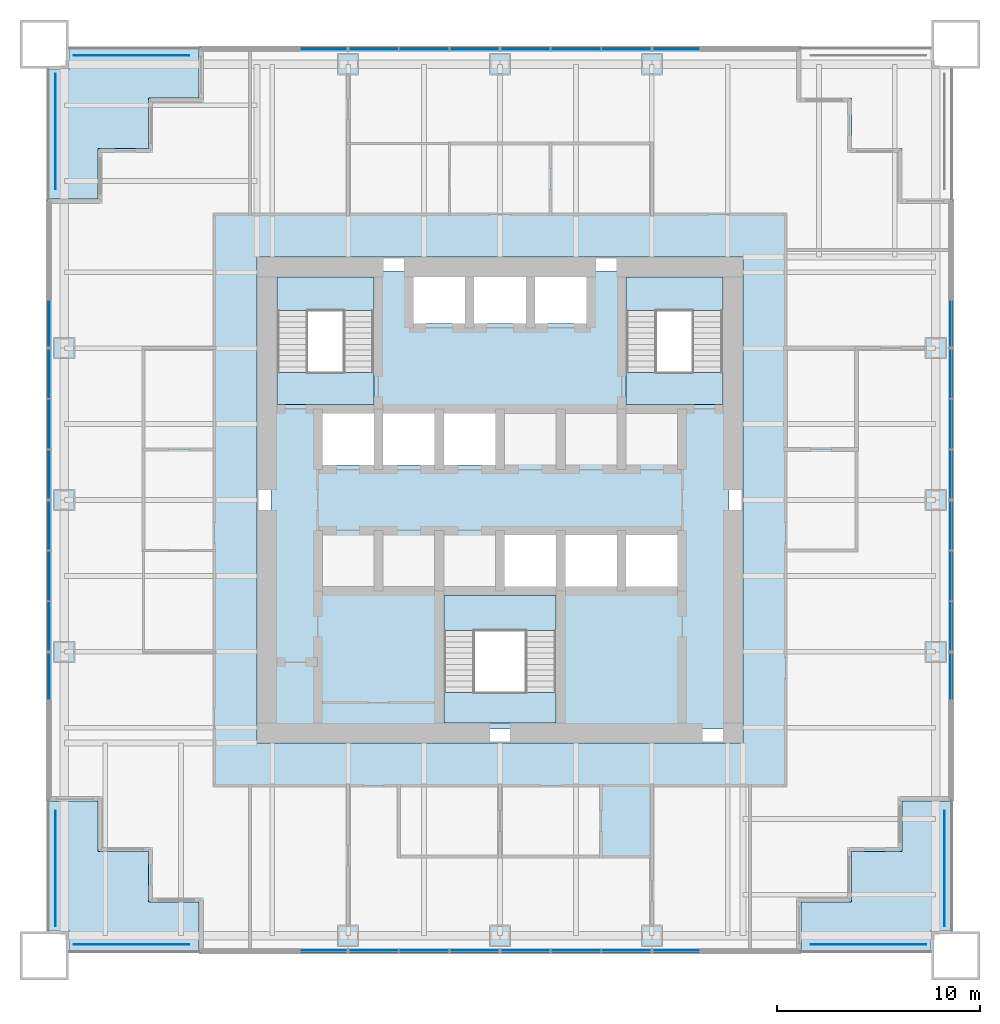
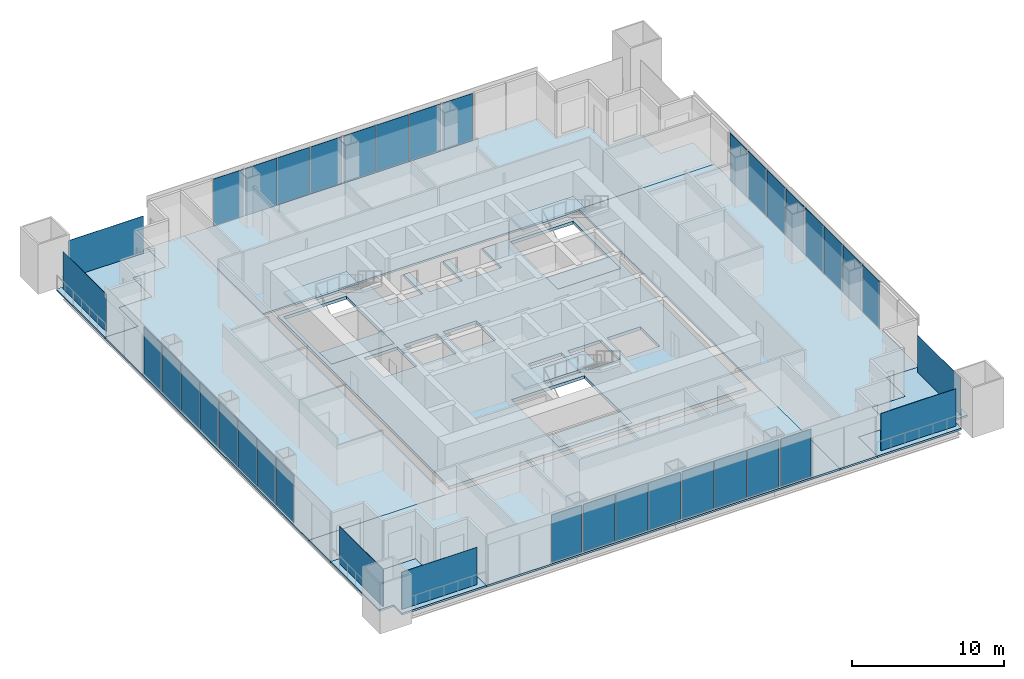
# One storey, part 7 of 13: 38 plates, 14 slabs, 19 elements without a shape of their own.
"""IFC4 building model written with IfcOpenShell, lengths in metres."""

from ifc_helpers import new_model, si_unit, direction, frame, origin, origin_2d, place, context, subcontext, project, spatial, polyline, rectangle, outline, extrude, material, layer, layer_set, type_object, element, aggregate, save


model = new_model("IFC4")

# Units and contexts
model_context = context("Model", 3, precision=1e-05, world=origin(), true_north=direction((0.0, 1.0)))
body_context = subcontext(model_context, "Body", "Model", "MODEL_VIEW")
ifc_project = project(units=[si_unit("LENGTHUNIT", "METRE"), si_unit("AREAUNIT", "SQUARE_METRE"), si_unit("VOLUMEUNIT", "CUBIC_METRE"), si_unit("PLANEANGLEUNIT", "RADIAN"), si_unit("MASSUNIT", "GRAM", prefix="KILO")], contexts=[model_context])

# Site, building, storey
site_placement = place(None, origin())
site = spatial("IfcSite", under=ifc_project, at=site_placement, CompositionType="ELEMENT")
building_placement = place(site_placement, origin())
building = spatial("IfcBuilding", under=site, at=building_placement, Name="Tarangal Relay Tower", CompositionType="ELEMENT")
storey_placement = place(building_placement, frame((0.0, 0.0, 205.89990234375)))
storey = spatial("IfcBuildingStorey", under=building, at=storey_placement, Name="L43", CompositionType="ELEMENT", Elevation=205.89990234375)

# Slabs
ifc_material_1 = material(Name="Concrete fc' 35 MPa", Category="concrete")
ifc_layer_1 = layer(ifc_material_1, 0.25)
ifc_layer_set_1 = layer_set([ifc_layer_1], Name="Core floor slab 250")
slab_type_1 = type_object("IfcSlabType", Name="Core floor slab 250", PredefinedType="FLOOR", material=ifc_layer_set_1)
slab_1_placement = place(storey_placement, frame((0.0, 0.0, -0.25)))
element("IfcSlab", 1, at=slab_1_placement, inside=storey, type_object=slab_type_1, Name="Core floor slab L43", PredefinedType="FLOOR", context=body_context, shape_type="SweptSolid", body=[
    extrude(outline(polyline([(11.300048828125, 11.300048828125), (11.300048828125, -11.300048828125), (-11.300048828125, -11.300048828125), (-11.300048828125, 11.300048828125), (-4.27490234375, 11.300048828125), (-4.27490234375, 8.72509765625), (-1.72509765625, 8.72509765625), (-1.72509765625, 11.300048828125), (-1.27490234375, 11.300048828125), (-1.27490234375, 8.72509765625), (1.27490234375, 8.72509765625), (1.27490234375, 11.300048828125), (1.72509765625, 11.300048828125), (1.72509765625, 8.72509765625), (4.27490234375, 8.72509765625), (4.27490234375, 11.300048828125), (11.300048828125, 11.300048828125)]), holes=[polyline([(-6.22509765625, 4.27490234375), (-8.77490234375, 4.27490234375), (-8.77490234375, 1.72509765625), (-6.22509765625, 1.72509765625), (-6.22509765625, 4.27490234375)]), polyline([(-3.22509765625, 1.72509765625), (-3.22509765625, 4.27490234375), (-5.77490234375, 4.27490234375), (-5.77490234375, 1.72509765625), (-3.22509765625, 1.72509765625)]), polyline([(-0.22509765625, 1.72509765625), (-0.22509765625, 4.27490234375), (-2.77490234375, 4.27490234375), (-2.77490234375, 1.72509765625), (-0.22509765625, 1.72509765625)]), polyline([(-6.22509765625, 11.0), (-11.0, 11.0), (-11.0, 4.72509765625), (-6.22509765625, 4.72509765625), (-6.22509765625, 11.0)]), polyline([(2.77490234375, -4.72509765625), (-2.77490234375, -4.72509765625), (-2.77490234375, -11.0), (2.77490234375, -11.0), (2.77490234375, -4.72509765625)]), polyline([(2.77490234375, -4.27490234375), (2.77490234375, -1.72509765625), (0.22509765625, -1.72509765625), (0.22509765625, -4.27490234375), (2.77490234375, -4.27490234375)]), polyline([(5.77490234375, -4.27490234375), (5.77490234375, -1.72509765625), (3.22509765625, -1.72509765625), (3.22509765625, -4.27490234375), (5.77490234375, -4.27490234375)]), polyline([(8.77490234375, -1.72509765625), (6.22509765625, -1.72509765625), (6.22509765625, -4.27490234375), (8.77490234375, -4.27490234375), (8.77490234375, -1.72509765625)]), polyline([(11.0, 4.72509765625), (11.0, 11.0), (6.22509765625, 11.0), (6.22509765625, 4.72509765625), (11.0, 4.72509765625)])]), origin(), (0.0, 0.0, 1.0), 0.25),
])
ifc_layer_2 = layer(ifc_material_1, 0.14990234375)
ifc_layer_set_2 = layer_set([ifc_layer_2], Name="Floor slab 150")
slab_type_2 = type_object("IfcSlabType", Name="Floor slab 150", PredefinedType="FLOOR", material=ifc_layer_set_2)
slab_2_placement = place(storey_placement, frame((0.0, 0.0, -0.14990234375)))
element("IfcSlab", 2, at=slab_2_placement, inside=storey, type_object=slab_type_2, Name="Floor slab FS3 L43 north bay", PredefinedType="FLOOR", context=body_context, shape_type="SweptSolid", body=[
    extrude(outline(polyline([(14.85009765625, 22.35009765625), (14.85009765625, 19.85009765625), (17.35009765625, 19.85009765625), (17.35009765625, 17.35009765625), (19.85009765625, 17.35009765625), (19.85009765625, 14.85009765625), (22.35009765625, 14.85009765625), (22.35009765625, 12.0), (-12.0, 12.0), (-12.0, 22.35009765625), (14.85009765625, 22.35009765625)])), origin(), (0.0, 0.0, 1.0), 0.14990234375),
])
slab_3_placement = place(storey_placement, frame((0.0, 0.0, -0.14990234375)))
element("IfcSlab", 3, at=slab_3_placement, inside=storey, type_object=slab_type_2, Name="Floor slab FS3 L43 east bay", PredefinedType="FLOOR", context=body_context, shape_type="SweptSolid", body=[
    extrude(outline(polyline([(22.35009765625, -14.85009765625), (19.85009765625, -14.85009765625), (19.85009765625, -17.35009765625), (17.35009765625, -17.35009765625), (17.35009765625, -19.85009765625), (14.85009765625, -19.85009765625), (14.85009765625, -22.35009765625), (12.0, -22.35009765625), (12.0, 12.0), (22.35009765625, 12.0), (22.35009765625, -14.85009765625)])), origin(), (0.0, 0.0, 1.0), 0.14990234375),
])
slab_4_placement = place(storey_placement, frame((0.0, 0.0, -0.14990234375)))
element("IfcSlab", 4, at=slab_4_placement, inside=storey, type_object=slab_type_2, Name="Floor slab FS3 L43 south bay", PredefinedType="FLOOR", context=body_context, shape_type="SweptSolid", body=[
    extrude(outline(polyline([(-14.85009765625, -22.35009765625), (-14.85009765625, -19.85009765625), (-17.35009765625, -19.85009765625), (-17.35009765625, -17.35009765625), (-19.85009765625, -17.35009765625), (-19.85009765625, -14.85009765625), (-22.35009765625, -14.85009765625), (-22.35009765625, -12.0), (12.0, -12.0), (12.0, -22.35009765625), (-14.85009765625, -22.35009765625)])), origin(), (0.0, 0.0, 1.0), 0.14990234375),
])
slab_5_placement = place(storey_placement, frame((0.0, 0.0, -0.14990234375)))
element("IfcSlab", 5, at=slab_5_placement, inside=storey, type_object=slab_type_2, Name="Floor slab FS3 L43 west bay", PredefinedType="FLOOR", context=body_context, shape_type="SweptSolid", body=[
    extrude(outline(polyline([(-12.0, 22.35009765625), (-12.0, -12.0), (-22.35009765625, -12.0), (-22.35009765625, 14.85009765625), (-19.85009765625, 14.85009765625), (-19.85009765625, 17.35009765625), (-17.35009765625, 17.35009765625), (-17.35009765625, 19.85009765625), (-14.85009765625, 19.85009765625), (-14.85009765625, 22.35009765625), (-12.0, 22.35009765625)])), origin(), (0.0, 0.0, 1.0), 0.14990234375),
])

# Curtain wall, plate
ifc_material_2 = material(Name="Unitised curtain wall, dark glass and black aluminium", Category="aluminium")
curtain_wall_type = type_object("IfcCurtainWallType", Name="Curtain wall CW-A", PredefinedType="USERDEFINED", material=ifc_material_2)
curtain_wall_1_placement = place(storey_placement, origin())
curtain_wall_1 = element("IfcCurtainWall", 6, at=curtain_wall_1_placement, inside=storey, type_object=curtain_wall_type, Name="Curtain wall CW-A N facade L43", ObjectType="UNITISED CURTAIN WALL", PredefinedType="USERDEFINED")
ifc_material_3 = material(Name="Dark tinted insulated glass unit", Category="glass")
ifc_layer_3 = layer(ifc_material_3, 0.031982421875)
ifc_layer_set_3 = layer_set([ifc_layer_3], Name="Glazed panel CW-A 32")
plate_type_1 = type_object("IfcPlateType", Name="Glazed panel CW-A 32", PredefinedType="CURTAIN_PANEL", material=ifc_layer_set_3)
plate_1_placement = place(storey_placement, frame((-8.708251953125, 22.25, 0.06494140625), z_axis=(0.0, 0.0, 1.0), x_axis=(1.0, 0.0, 0.0)))
plate_1 = element("IfcPlate", 7, at=plate_1_placement, type_object=plate_type_1, Name="CW-A panel 1.1", PredefinedType="CURTAIN_PANEL", context=body_context, shape_type="SweptSolid", body=[
    extrude(rectangle(XDim=2.28662109375, YDim=0.031982421875, at=origin_2d()), origin(), (0.0, 0.0, 1.0), 3.784912109375),
])
aggregate(curtain_wall_1, [plate_1])

# Curtain wall, plates
curtain_wall_2_placement = place(storey_placement, origin())
curtain_wall_2 = element("IfcCurtainWall", 8, at=curtain_wall_2_placement, inside=storey, type_object=curtain_wall_type, Name="Curtain wall CW-A N facade L43", ObjectType="UNITISED CURTAIN WALL", PredefinedType="USERDEFINED")
plate_2_placement = place(storey_placement, frame((-6.233642578125, 22.25, 0.06494140625), z_axis=(0.0, 0.0, 1.0), x_axis=(1.0, 0.0, 0.0)))
plate_2 = element("IfcPlate", 9, at=plate_2_placement, type_object=plate_type_1, Name="CW-A panel 1.1", PredefinedType="CURTAIN_PANEL", context=body_context, shape_type="SweptSolid", body=[
    extrude(rectangle(XDim=2.402587890625, YDim=0.031982421875, at=origin_2d()), origin(), (0.0, 0.0, 1.0), 3.784912109375),
])
plate_3_placement = place(storey_placement, frame((-3.75, 22.25, 0.06494140625), z_axis=(0.0, 0.0, 1.0), x_axis=(1.0, 0.0, 0.0)))
plate_3 = element("IfcPlate", 10, at=plate_3_placement, type_object=plate_type_1, Name="CW-A panel 2.1", PredefinedType="CURTAIN_PANEL", context=body_context, shape_type="SweptSolid", body=[
    extrude(rectangle(XDim=2.43505859375, YDim=0.031982421875, at=origin_2d()), origin(), (0.0, 0.0, 1.0), 3.784912109375),
])
plate_4_placement = place(storey_placement, frame((-1.266357421875, 22.25, 0.06494140625), z_axis=(0.0, 0.0, 1.0), x_axis=(1.0, 0.0, 0.0)))
plate_4 = element("IfcPlate", 11, at=plate_4_placement, type_object=plate_type_1, Name="CW-A panel 3.1", PredefinedType="CURTAIN_PANEL", context=body_context, shape_type="SweptSolid", body=[
    extrude(rectangle(XDim=2.402587890625, YDim=0.031982421875, at=origin_2d()), origin(), (0.0, 0.0, 1.0), 3.784912109375),
])
aggregate(curtain_wall_2, [plate_2, plate_3, plate_4])

curtain_wall_3_placement = place(storey_placement, origin())
curtain_wall_3 = element("IfcCurtainWall", 12, at=curtain_wall_3_placement, inside=storey, type_object=curtain_wall_type, Name="Curtain wall CW-A N facade L43", ObjectType="UNITISED CURTAIN WALL", PredefinedType="USERDEFINED")
plate_5_placement = place(storey_placement, frame((1.266357421875, 22.25, 0.06494140625), z_axis=(0.0, 0.0, 1.0), x_axis=(1.0, 0.0, 0.0)))
plate_5 = element("IfcPlate", 13, at=plate_5_placement, type_object=plate_type_1, Name="CW-A panel 1.1", PredefinedType="CURTAIN_PANEL", context=body_context, shape_type="SweptSolid", body=[
    extrude(rectangle(XDim=2.402587890625, YDim=0.031982421875, at=origin_2d()), origin(), (0.0, 0.0, 1.0), 3.784912109375),
])
plate_6_placement = place(storey_placement, frame((3.75, 22.25, 0.06494140625), z_axis=(0.0, 0.0, 1.0), x_axis=(1.0, 0.0, 0.0)))
plate_6 = element("IfcPlate", 14, at=plate_6_placement, type_object=plate_type_1, Name="CW-A panel 2.1", PredefinedType="CURTAIN_PANEL", context=body_context, shape_type="SweptSolid", body=[
    extrude(rectangle(XDim=2.43505859375, YDim=0.031982421875, at=origin_2d()), origin(), (0.0, 0.0, 1.0), 3.784912109375),
])
plate_7_placement = place(storey_placement, frame((6.233642578125, 22.25, 0.06494140625), z_axis=(0.0, 0.0, 1.0), x_axis=(1.0, 0.0, 0.0)))
plate_7 = element("IfcPlate", 15, at=plate_7_placement, type_object=plate_type_1, Name="CW-A panel 3.1", PredefinedType="CURTAIN_PANEL", context=body_context, shape_type="SweptSolid", body=[
    extrude(rectangle(XDim=2.402587890625, YDim=0.031982421875, at=origin_2d()), origin(), (0.0, 0.0, 1.0), 3.784912109375),
])
aggregate(curtain_wall_3, [plate_5, plate_6, plate_7])

# Curtain wall, plate
curtain_wall_4_placement = place(storey_placement, origin())
curtain_wall_4 = element("IfcCurtainWall", 16, at=curtain_wall_4_placement, inside=storey, type_object=curtain_wall_type, Name="Curtain wall CW-A N facade L43", ObjectType="UNITISED CURTAIN WALL", PredefinedType="USERDEFINED")
plate_8_placement = place(storey_placement, frame((8.708251953125, 22.25, 0.06494140625), z_axis=(0.0, 0.0, 1.0), x_axis=(1.0, 0.0, 0.0)))
plate_8 = element("IfcPlate", 17, at=plate_8_placement, type_object=plate_type_1, Name="CW-A panel 1.1", PredefinedType="CURTAIN_PANEL", context=body_context, shape_type="SweptSolid", body=[
    extrude(rectangle(XDim=2.28662109375, YDim=0.031982421875, at=origin_2d()), origin(), (0.0, 0.0, 1.0), 3.784912109375),
])
aggregate(curtain_wall_4, [plate_8])

curtain_wall_5_placement = place(storey_placement, origin())
curtain_wall_5 = element("IfcCurtainWall", 18, at=curtain_wall_5_placement, inside=storey, type_object=curtain_wall_type, Name="Curtain wall CW-A E facade L43", ObjectType="UNITISED CURTAIN WALL", PredefinedType="USERDEFINED")
plate_9_placement = place(storey_placement, frame((22.25, 8.708251953125, 0.06494140625), z_axis=(0.0, 0.0, 1.0), x_axis=(0.0, -1.0, 0.0)))
plate_9 = element("IfcPlate", 19, at=plate_9_placement, type_object=plate_type_1, Name="CW-A panel 1.1", PredefinedType="CURTAIN_PANEL", context=body_context, shape_type="SweptSolid", body=[
    extrude(rectangle(XDim=2.28662109375, YDim=0.031982421875, at=origin_2d()), origin(), (0.0, 0.0, 1.0), 3.784912109375),
])
aggregate(curtain_wall_5, [plate_9])

# Curtain wall, plates
curtain_wall_6_placement = place(storey_placement, origin())
curtain_wall_6 = element("IfcCurtainWall", 20, at=curtain_wall_6_placement, inside=storey, type_object=curtain_wall_type, Name="Curtain wall CW-A E facade L43", ObjectType="UNITISED CURTAIN WALL", PredefinedType="USERDEFINED")
plate_10_placement = place(storey_placement, frame((22.25, 6.233642578125, 0.06494140625), z_axis=(0.0, 0.0, 1.0), x_axis=(0.0, -1.0, 0.0)))
plate_10 = element("IfcPlate", 21, at=plate_10_placement, type_object=plate_type_1, Name="CW-A panel 1.1", PredefinedType="CURTAIN_PANEL", context=body_context, shape_type="SweptSolid", body=[
    extrude(rectangle(XDim=2.402587890625, YDim=0.031982421875, at=origin_2d()), origin(), (0.0, 0.0, 1.0), 3.784912109375),
])
plate_11_placement = place(storey_placement, frame((22.25, 3.75, 0.06494140625), z_axis=(0.0, 0.0, 1.0), x_axis=(0.0, -1.0, 0.0)))
plate_11 = element("IfcPlate", 22, at=plate_11_placement, type_object=plate_type_1, Name="CW-A panel 2.1", PredefinedType="CURTAIN_PANEL", context=body_context, shape_type="SweptSolid", body=[
    extrude(rectangle(XDim=2.43505859375, YDim=0.031982421875, at=origin_2d()), origin(), (0.0, 0.0, 1.0), 3.784912109375),
])
plate_12_placement = place(storey_placement, frame((22.25, 1.266357421875, 0.06494140625), z_axis=(0.0, 0.0, 1.0), x_axis=(0.0, -1.0, 0.0)))
plate_12 = element("IfcPlate", 23, at=plate_12_placement, type_object=plate_type_1, Name="CW-A panel 3.1", PredefinedType="CURTAIN_PANEL", context=body_context, shape_type="SweptSolid", body=[
    extrude(rectangle(XDim=2.402587890625, YDim=0.031982421875, at=origin_2d()), origin(), (0.0, 0.0, 1.0), 3.784912109375),
])
aggregate(curtain_wall_6, [plate_10, plate_11, plate_12])

curtain_wall_7_placement = place(storey_placement, origin())
curtain_wall_7 = element("IfcCurtainWall", 24, at=curtain_wall_7_placement, inside=storey, type_object=curtain_wall_type, Name="Curtain wall CW-A E facade L43", ObjectType="UNITISED CURTAIN WALL", PredefinedType="USERDEFINED")
plate_13_placement = place(storey_placement, frame((22.25, -1.266357421875, 0.06494140625), z_axis=(0.0, 0.0, 1.0), x_axis=(0.0, -1.0, 0.0)))
plate_13 = element("IfcPlate", 25, at=plate_13_placement, type_object=plate_type_1, Name="CW-A panel 1.1", PredefinedType="CURTAIN_PANEL", context=body_context, shape_type="SweptSolid", body=[
    extrude(rectangle(XDim=2.402587890625, YDim=0.031982421875, at=origin_2d()), origin(), (0.0, 0.0, 1.0), 3.784912109375),
])
plate_14_placement = place(storey_placement, frame((22.25, -3.75, 0.06494140625), z_axis=(0.0, 0.0, 1.0), x_axis=(0.0, -1.0, 0.0)))
plate_14 = element("IfcPlate", 26, at=plate_14_placement, type_object=plate_type_1, Name="CW-A panel 2.1", PredefinedType="CURTAIN_PANEL", context=body_context, shape_type="SweptSolid", body=[
    extrude(rectangle(XDim=2.43505859375, YDim=0.031982421875, at=origin_2d()), origin(), (0.0, 0.0, 1.0), 3.784912109375),
])
plate_15_placement = place(storey_placement, frame((22.25, -6.233642578125, 0.06494140625), z_axis=(0.0, 0.0, 1.0), x_axis=(0.0, -1.0, 0.0)))
plate_15 = element("IfcPlate", 27, at=plate_15_placement, type_object=plate_type_1, Name="CW-A panel 3.1", PredefinedType="CURTAIN_PANEL", context=body_context, shape_type="SweptSolid", body=[
    extrude(rectangle(XDim=2.402587890625, YDim=0.031982421875, at=origin_2d()), origin(), (0.0, 0.0, 1.0), 3.784912109375),
])
aggregate(curtain_wall_7, [plate_13, plate_14, plate_15])

# Curtain wall, plate
curtain_wall_8_placement = place(storey_placement, origin())
curtain_wall_8 = element("IfcCurtainWall", 28, at=curtain_wall_8_placement, inside=storey, type_object=curtain_wall_type, Name="Curtain wall CW-A E facade L43", ObjectType="UNITISED CURTAIN WALL", PredefinedType="USERDEFINED")
plate_16_placement = place(storey_placement, frame((22.25, -8.708251953125, 0.06494140625), z_axis=(0.0, 0.0, 1.0), x_axis=(0.0, -1.0, 0.0)))
plate_16 = element("IfcPlate", 29, at=plate_16_placement, type_object=plate_type_1, Name="CW-A panel 1.1", PredefinedType="CURTAIN_PANEL", context=body_context, shape_type="SweptSolid", body=[
    extrude(rectangle(XDim=2.28662109375, YDim=0.031982421875, at=origin_2d()), origin(), (0.0, 0.0, 1.0), 3.784912109375),
])
aggregate(curtain_wall_8, [plate_16])

curtain_wall_9_placement = place(storey_placement, origin())
curtain_wall_9 = element("IfcCurtainWall", 30, at=curtain_wall_9_placement, inside=storey, type_object=curtain_wall_type, Name="Curtain wall CW-A S facade L43", ObjectType="UNITISED CURTAIN WALL", PredefinedType="USERDEFINED")
plate_17_placement = place(storey_placement, frame((8.708251953125, -22.25, 0.06494140625), z_axis=(0.0, 0.0, 1.0), x_axis=(-1.0, 0.0, 0.0)))
plate_17 = element("IfcPlate", 31, at=plate_17_placement, type_object=plate_type_1, Name="CW-A panel 1.1", PredefinedType="CURTAIN_PANEL", context=body_context, shape_type="SweptSolid", body=[
    extrude(rectangle(XDim=2.28662109375, YDim=0.031982421875, at=origin_2d()), origin(), (0.0, 0.0, 1.0), 3.784912109375),
])
aggregate(curtain_wall_9, [plate_17])

# Curtain wall, plates
curtain_wall_10_placement = place(storey_placement, origin())
curtain_wall_10 = element("IfcCurtainWall", 32, at=curtain_wall_10_placement, inside=storey, type_object=curtain_wall_type, Name="Curtain wall CW-A S facade L43", ObjectType="UNITISED CURTAIN WALL", PredefinedType="USERDEFINED")
plate_18_placement = place(storey_placement, frame((6.233642578125, -22.25, 0.06494140625), z_axis=(0.0, 0.0, 1.0), x_axis=(-1.0, 0.0, 0.0)))
plate_18 = element("IfcPlate", 33, at=plate_18_placement, type_object=plate_type_1, Name="CW-A panel 1.1", PredefinedType="CURTAIN_PANEL", context=body_context, shape_type="SweptSolid", body=[
    extrude(rectangle(XDim=2.402587890625, YDim=0.031982421875, at=origin_2d()), origin(), (0.0, 0.0, 1.0), 3.784912109375),
])
plate_19_placement = place(storey_placement, frame((3.75, -22.25, 0.06494140625), z_axis=(0.0, 0.0, 1.0), x_axis=(-1.0, 0.0, 0.0)))
plate_19 = element("IfcPlate", 34, at=plate_19_placement, type_object=plate_type_1, Name="CW-A panel 2.1", PredefinedType="CURTAIN_PANEL", context=body_context, shape_type="SweptSolid", body=[
    extrude(rectangle(XDim=2.43505859375, YDim=0.031982421875, at=origin_2d()), origin(), (0.0, 0.0, 1.0), 3.784912109375),
])
plate_20_placement = place(storey_placement, frame((1.266357421875, -22.25, 0.06494140625), z_axis=(0.0, 0.0, 1.0), x_axis=(-1.0, 0.0, 0.0)))
plate_20 = element("IfcPlate", 35, at=plate_20_placement, type_object=plate_type_1, Name="CW-A panel 3.1", PredefinedType="CURTAIN_PANEL", context=body_context, shape_type="SweptSolid", body=[
    extrude(rectangle(XDim=2.402587890625, YDim=0.031982421875, at=origin_2d()), origin(), (0.0, 0.0, 1.0), 3.784912109375),
])
aggregate(curtain_wall_10, [plate_18, plate_19, plate_20])

curtain_wall_11_placement = place(storey_placement, origin())
curtain_wall_11 = element("IfcCurtainWall", 36, at=curtain_wall_11_placement, inside=storey, type_object=curtain_wall_type, Name="Curtain wall CW-A S facade L43", ObjectType="UNITISED CURTAIN WALL", PredefinedType="USERDEFINED")
plate_21_placement = place(storey_placement, frame((-1.266357421875, -22.25, 0.06494140625), z_axis=(0.0, 0.0, 1.0), x_axis=(-1.0, 0.0, 0.0)))
plate_21 = element("IfcPlate", 37, at=plate_21_placement, type_object=plate_type_1, Name="CW-A panel 1.1", PredefinedType="CURTAIN_PANEL", context=body_context, shape_type="SweptSolid", body=[
    extrude(rectangle(XDim=2.402587890625, YDim=0.031982421875, at=origin_2d()), origin(), (0.0, 0.0, 1.0), 3.784912109375),
])
plate_22_placement = place(storey_placement, frame((-3.75, -22.25, 0.06494140625), z_axis=(0.0, 0.0, 1.0), x_axis=(-1.0, 0.0, 0.0)))
plate_22 = element("IfcPlate", 38, at=plate_22_placement, type_object=plate_type_1, Name="CW-A panel 2.1", PredefinedType="CURTAIN_PANEL", context=body_context, shape_type="SweptSolid", body=[
    extrude(rectangle(XDim=2.43505859375, YDim=0.031982421875, at=origin_2d()), origin(), (0.0, 0.0, 1.0), 3.784912109375),
])
plate_23_placement = place(storey_placement, frame((-6.233642578125, -22.25, 0.06494140625), z_axis=(0.0, 0.0, 1.0), x_axis=(-1.0, 0.0, 0.0)))
plate_23 = element("IfcPlate", 39, at=plate_23_placement, type_object=plate_type_1, Name="CW-A panel 3.1", PredefinedType="CURTAIN_PANEL", context=body_context, shape_type="SweptSolid", body=[
    extrude(rectangle(XDim=2.402587890625, YDim=0.031982421875, at=origin_2d()), origin(), (0.0, 0.0, 1.0), 3.784912109375),
])
aggregate(curtain_wall_11, [plate_21, plate_22, plate_23])

# Curtain wall, plate
curtain_wall_12_placement = place(storey_placement, origin())
curtain_wall_12 = element("IfcCurtainWall", 40, at=curtain_wall_12_placement, inside=storey, type_object=curtain_wall_type, Name="Curtain wall CW-A S facade L43", ObjectType="UNITISED CURTAIN WALL", PredefinedType="USERDEFINED")
plate_24_placement = place(storey_placement, frame((-8.708251953125, -22.25, 0.06494140625), z_axis=(0.0, 0.0, 1.0), x_axis=(-1.0, 0.0, 0.0)))
plate_24 = element("IfcPlate", 41, at=plate_24_placement, type_object=plate_type_1, Name="CW-A panel 1.1", PredefinedType="CURTAIN_PANEL", context=body_context, shape_type="SweptSolid", body=[
    extrude(rectangle(XDim=2.28662109375, YDim=0.031982421875, at=origin_2d()), origin(), (0.0, 0.0, 1.0), 3.784912109375),
])
aggregate(curtain_wall_12, [plate_24])

curtain_wall_13_placement = place(storey_placement, origin())
curtain_wall_13 = element("IfcCurtainWall", 42, at=curtain_wall_13_placement, inside=storey, type_object=curtain_wall_type, Name="Curtain wall CW-A W facade L43", ObjectType="UNITISED CURTAIN WALL", PredefinedType="USERDEFINED")
plate_25_placement = place(storey_placement, frame((-22.25, -8.708251953125, 0.06494140625), z_axis=(0.0, 0.0, 1.0), x_axis=(0.0, 1.0, 0.0)))
plate_25 = element("IfcPlate", 43, at=plate_25_placement, type_object=plate_type_1, Name="CW-A panel 1.1", PredefinedType="CURTAIN_PANEL", context=body_context, shape_type="SweptSolid", body=[
    extrude(rectangle(XDim=2.28662109375, YDim=0.031982421875, at=origin_2d()), origin(), (0.0, 0.0, 1.0), 3.784912109375),
])
aggregate(curtain_wall_13, [plate_25])

# Curtain wall, plates
curtain_wall_14_placement = place(storey_placement, origin())
curtain_wall_14 = element("IfcCurtainWall", 44, at=curtain_wall_14_placement, inside=storey, type_object=curtain_wall_type, Name="Curtain wall CW-A W facade L43", ObjectType="UNITISED CURTAIN WALL", PredefinedType="USERDEFINED")
plate_26_placement = place(storey_placement, frame((-22.25, -6.233642578125, 0.06494140625), z_axis=(0.0, 0.0, 1.0), x_axis=(0.0, 1.0, 0.0)))
plate_26 = element("IfcPlate", 45, at=plate_26_placement, type_object=plate_type_1, Name="CW-A panel 1.1", PredefinedType="CURTAIN_PANEL", context=body_context, shape_type="SweptSolid", body=[
    extrude(rectangle(XDim=2.402587890625, YDim=0.031982421875, at=origin_2d()), origin(), (0.0, 0.0, 1.0), 3.784912109375),
])
plate_27_placement = place(storey_placement, frame((-22.25, -3.75, 0.06494140625), z_axis=(0.0, 0.0, 1.0), x_axis=(0.0, 1.0, 0.0)))
plate_27 = element("IfcPlate", 46, at=plate_27_placement, type_object=plate_type_1, Name="CW-A panel 2.1", PredefinedType="CURTAIN_PANEL", context=body_context, shape_type="SweptSolid", body=[
    extrude(rectangle(XDim=2.43505859375, YDim=0.031982421875, at=origin_2d()), origin(), (0.0, 0.0, 1.0), 3.784912109375),
])
plate_28_placement = place(storey_placement, frame((-22.25, -1.266357421875, 0.06494140625), z_axis=(0.0, 0.0, 1.0), x_axis=(0.0, 1.0, 0.0)))
plate_28 = element("IfcPlate", 47, at=plate_28_placement, type_object=plate_type_1, Name="CW-A panel 3.1", PredefinedType="CURTAIN_PANEL", context=body_context, shape_type="SweptSolid", body=[
    extrude(rectangle(XDim=2.402587890625, YDim=0.031982421875, at=origin_2d()), origin(), (0.0, 0.0, 1.0), 3.784912109375),
])
aggregate(curtain_wall_14, [plate_26, plate_27, plate_28])

curtain_wall_15_placement = place(storey_placement, origin())
curtain_wall_15 = element("IfcCurtainWall", 48, at=curtain_wall_15_placement, inside=storey, type_object=curtain_wall_type, Name="Curtain wall CW-A W facade L43", ObjectType="UNITISED CURTAIN WALL", PredefinedType="USERDEFINED")
plate_29_placement = place(storey_placement, frame((-22.25, 1.266357421875, 0.06494140625), z_axis=(0.0, 0.0, 1.0), x_axis=(0.0, 1.0, 0.0)))
plate_29 = element("IfcPlate", 49, at=plate_29_placement, type_object=plate_type_1, Name="CW-A panel 1.1", PredefinedType="CURTAIN_PANEL", context=body_context, shape_type="SweptSolid", body=[
    extrude(rectangle(XDim=2.402587890625, YDim=0.031982421875, at=origin_2d()), origin(), (0.0, 0.0, 1.0), 3.784912109375),
])
plate_30_placement = place(storey_placement, frame((-22.25, 3.75, 0.06494140625), z_axis=(0.0, 0.0, 1.0), x_axis=(0.0, 1.0, 0.0)))
plate_30 = element("IfcPlate", 50, at=plate_30_placement, type_object=plate_type_1, Name="CW-A panel 2.1", PredefinedType="CURTAIN_PANEL", context=body_context, shape_type="SweptSolid", body=[
    extrude(rectangle(XDim=2.43505859375, YDim=0.031982421875, at=origin_2d()), origin(), (0.0, 0.0, 1.0), 3.784912109375),
])
plate_31_placement = place(storey_placement, frame((-22.25, 6.233642578125, 0.06494140625), z_axis=(0.0, 0.0, 1.0), x_axis=(0.0, 1.0, 0.0)))
plate_31 = element("IfcPlate", 51, at=plate_31_placement, type_object=plate_type_1, Name="CW-A panel 3.1", PredefinedType="CURTAIN_PANEL", context=body_context, shape_type="SweptSolid", body=[
    extrude(rectangle(XDim=2.402587890625, YDim=0.031982421875, at=origin_2d()), origin(), (0.0, 0.0, 1.0), 3.784912109375),
])
aggregate(curtain_wall_15, [plate_29, plate_30, plate_31])

# Curtain wall, plate
curtain_wall_16_placement = place(storey_placement, origin())
curtain_wall_16 = element("IfcCurtainWall", 52, at=curtain_wall_16_placement, inside=storey, type_object=curtain_wall_type, Name="Curtain wall CW-A W facade L43", ObjectType="UNITISED CURTAIN WALL", PredefinedType="USERDEFINED")
plate_32_placement = place(storey_placement, frame((-22.25, 8.708251953125, 0.06494140625), z_axis=(0.0, 0.0, 1.0), x_axis=(0.0, 1.0, 0.0)))
plate_32 = element("IfcPlate", 53, at=plate_32_placement, type_object=plate_type_1, Name="CW-A panel 1.1", PredefinedType="CURTAIN_PANEL", context=body_context, shape_type="SweptSolid", body=[
    extrude(rectangle(XDim=2.28662109375, YDim=0.031982421875, at=origin_2d()), origin(), (0.0, 0.0, 1.0), 3.784912109375),
])
aggregate(curtain_wall_16, [plate_32])

# Plates
ifc_material_4 = material(Name="Black stainless steel cable trellis with climbing planting", Category="steel")
ifc_layer_4 = layer(ifc_material_4, 0.030029296875)
ifc_layer_set_4 = layer_set([ifc_layer_4], Name="Planted trellis screen")
plate_type_2 = type_object("IfcPlateType", Name="Planted trellis screen", PredefinedType="SHEET", material=ifc_layer_set_4)
for number, where, z_axis, x_axis, name in (
    (54, (18.199951171875, -21.949951171875, 0.0), (0.0, 0.0, 1.0), (-1.0, 0.0, 0.0), "Planted trellis SC2 SE L43"),
    (55, (-21.949951171875, -18.199951171875, 0.0), (0.0, 0.0, 1.0), (0.0, 1.0, 0.0), "Planted trellis SC2 SW L43"),
    (56, (-18.199951171875, 21.949951171875, 0.0), (0.0, 0.0, 1.0), (1.0, 0.0, 0.0), "Planted trellis SC2 NW L43"),
):
    element("IfcPlate", number, at=place(storey_placement, frame(where, z_axis=z_axis, x_axis=x_axis)), inside=storey, type_object=plate_type_2, Name=name, PredefinedType="SHEET", context=body_context, shape_type="SweptSolid", body=[
        extrude(rectangle(XDim=5.699951171875, YDim=0.030029296875, at=origin_2d()), origin(), (0.0, 0.0, 1.0), 3.0),
    ])

# Stair, slabs
ifc_material_5 = material(Name="Steel ASTM A992 stair flight", Category="steel")
stair_type = type_object("IfcStairType", Name="Core stair 1500", PredefinedType="HALF_TURN_STAIR", material=ifc_material_5)
stair_1_placement = place(storey_placement, origin())
stair_1 = element("IfcStair", 57, at=stair_1_placement, inside=storey, type_object=stair_type, Name="Stair ST-A L43", PredefinedType="HALF_TURN_STAIR")
ifc_layer_5 = layer(ifc_material_1, 0.199951171875)
ifc_layer_set_5 = layer_set([ifc_layer_5], Name="Stair landing 200")
slab_type_3 = type_object("IfcSlabType", Name="Stair landing 200", PredefinedType="LANDING", material=ifc_layer_set_5)
slab_6_placement = place(storey_placement, frame((0.0, 0.0, -0.199951171875)))
slab_6 = element("IfcSlab", 58, at=slab_6_placement, type_object=slab_type_3, Name="ST-A landing 1", PredefinedType="LANDING", context=body_context, shape_type="SweptSolid", body=[
    extrude(outline(polyline([(-11.0, 4.72509765625), (-6.22509765625, 4.72509765625), (-6.22509765625, 6.300048828125), (-11.0, 6.300048828125), (-11.0, 4.72509765625)])), origin(), (0.0, 0.0, 1.0), 0.199951171875),
])
slab_7_placement = place(storey_placement, frame((0.0, 0.0, 1.800048828125)))
slab_7 = element("IfcSlab", 59, at=slab_7_placement, type_object=slab_type_3, Name="ST-A landing 2", PredefinedType="LANDING", context=body_context, shape_type="SweptSolid", body=[
    extrude(outline(polyline([(-11.0, 9.346923828125), (-6.22509765625, 9.346923828125), (-6.22509765625, 11.0), (-11.0, 11.0), (-11.0, 9.346923828125)])), origin(), (0.0, 0.0, 1.0), 0.199951171875),
])
aggregate(stair_1, [slab_6, slab_7])

stair_2_placement = place(storey_placement, origin())
stair_2 = element("IfcStair", 60, at=stair_2_placement, inside=storey, type_object=stair_type, Name="Stair ST-B L43", PredefinedType="HALF_TURN_STAIR")
slab_8_placement = place(storey_placement, frame((0.0, 0.0, -0.199951171875)))
slab_8 = element("IfcSlab", 61, at=slab_8_placement, type_object=slab_type_3, Name="ST-B landing 1", PredefinedType="LANDING", context=body_context, shape_type="SweptSolid", body=[
    extrude(outline(polyline([(6.22509765625, 4.72509765625), (11.0, 4.72509765625), (11.0, 6.300048828125), (6.22509765625, 6.300048828125), (6.22509765625, 4.72509765625)])), origin(), (0.0, 0.0, 1.0), 0.199951171875),
])
slab_9_placement = place(storey_placement, frame((0.0, 0.0, 1.800048828125)))
slab_9 = element("IfcSlab", 62, at=slab_9_placement, type_object=slab_type_3, Name="ST-B landing 2", PredefinedType="LANDING", context=body_context, shape_type="SweptSolid", body=[
    extrude(outline(polyline([(6.22509765625, 9.346923828125), (11.0, 9.346923828125), (11.0, 11.0), (6.22509765625, 11.0), (6.22509765625, 9.346923828125)])), origin(), (0.0, 0.0, 1.0), 0.199951171875),
])
aggregate(stair_2, [slab_8, slab_9])

stair_3_placement = place(storey_placement, origin())
stair_3 = element("IfcStair", 63, at=stair_3_placement, inside=storey, type_object=stair_type, Name="Stair ST-C L43", PredefinedType="HALF_TURN_STAIR")
slab_10_placement = place(storey_placement, frame((0.0, 0.0, -0.199951171875)))
slab_10 = element("IfcSlab", 64, at=slab_10_placement, type_object=slab_type_3, Name="ST-C landing 1", PredefinedType="LANDING", context=body_context, shape_type="SweptSolid", body=[
    extrude(outline(polyline([(-2.77490234375, -11.0), (2.77490234375, -11.0), (2.77490234375, -9.5), (-2.77490234375, -9.5), (-2.77490234375, -11.0)])), origin(), (0.0, 0.0, 1.0), 0.199951171875),
])
slab_11_placement = place(storey_placement, frame((0.0, 0.0, 1.800048828125)))
slab_11 = element("IfcSlab", 65, at=slab_11_placement, type_object=slab_type_3, Name="ST-C landing 2", PredefinedType="LANDING", context=body_context, shape_type="SweptSolid", body=[
    extrude(outline(polyline([(-2.77490234375, -6.452880859375), (2.77490234375, -6.452880859375), (2.77490234375, -4.72509765625), (-2.77490234375, -4.72509765625), (-2.77490234375, -6.452880859375)])), origin(), (0.0, 0.0, 1.0), 0.199951171875),
])
aggregate(stair_3, [slab_10, slab_11])

# Plates
ifc_material_6 = material(Name="Perforated black aluminium screen", Category="aluminium")
ifc_layer_6 = layer(ifc_material_6, 0.02001953125)
ifc_layer_set_6 = layer_set([ifc_layer_6], Name="Terrace screen panel")
plate_type_3 = type_object("IfcPlateType", Name="Terrace screen panel", PredefinedType="SHEET", material=ifc_layer_set_6)
for number, where, z_axis, x_axis, name in (
    (66, (21.949951171875, -18.199951171875, 0.0), (0.0, 0.0, 1.0), (0.0, -1.0, 0.0), "Terrace screen SC1 SE L43"),
    (67, (-18.199951171875, -21.949951171875, 0.0), (0.0, 0.0, 1.0), (-1.0, 0.0, 0.0), "Terrace screen SC1 SW L43"),
    (68, (-21.949951171875, 18.199951171875, 0.0), (0.0, 0.0, 1.0), (0.0, 1.0, 0.0), "Terrace screen SC1 NW L43"),
):
    element("IfcPlate", number, at=place(storey_placement, frame(where, z_axis=z_axis, x_axis=x_axis)), inside=storey, type_object=plate_type_3, Name=name, PredefinedType="SHEET", context=body_context, shape_type="SweptSolid", body=[
        extrude(rectangle(XDim=5.699951171875, YDim=0.02001953125, at=origin_2d()), origin(), (0.0, 0.0, 1.0), 3.0),
    ])

# Slabs
ifc_layer_7 = layer(ifc_material_1, 0.14990234375)
ifc_layer_set_7 = layer_set([ifc_layer_7], Name="Terrace slab 150")
slab_type_4 = type_object("IfcSlabType", Name="Terrace slab 150", PredefinedType="FLOOR", material=ifc_layer_set_7)
slab_12_placement = place(storey_placement, frame((0.0, 0.0, -0.14990234375)))
element("IfcSlab", 69, at=slab_12_placement, inside=storey, type_object=slab_type_4, Name="Corner terrace SE L43", PredefinedType="FLOOR", context=body_context, shape_type="SweptSolid", body=[
    extrude(outline(polyline([(22.35009765625, -14.85009765625), (19.85009765625, -14.85009765625), (19.85009765625, -17.35009765625), (17.35009765625, -17.35009765625), (17.35009765625, -19.85009765625), (14.85009765625, -19.85009765625), (14.85009765625, -22.35009765625), (21.25, -22.35009765625), (21.25, -21.25), (22.35009765625, -21.25), (22.35009765625, -14.85009765625)])), origin(), (0.0, 0.0, 1.0), 0.14990234375),
])
slab_13_placement = place(storey_placement, frame((0.0, 0.0, -0.14990234375)))
element("IfcSlab", 70, at=slab_13_placement, inside=storey, type_object=slab_type_4, Name="Corner terrace SW L43", PredefinedType="FLOOR", context=body_context, shape_type="SweptSolid", body=[
    extrude(outline(polyline([(-14.85009765625, -22.35009765625), (-14.85009765625, -19.85009765625), (-17.35009765625, -19.85009765625), (-17.35009765625, -17.35009765625), (-19.85009765625, -17.35009765625), (-19.85009765625, -14.85009765625), (-22.35009765625, -14.85009765625), (-22.35009765625, -21.25), (-21.25, -21.25), (-21.25, -22.35009765625), (-14.85009765625, -22.35009765625)])), origin(), (0.0, 0.0, 1.0), 0.14990234375),
])
slab_14_placement = place(storey_placement, frame((0.0, 0.0, -0.14990234375)))
element("IfcSlab", 71, at=slab_14_placement, inside=storey, type_object=slab_type_4, Name="Corner terrace NW L43", PredefinedType="FLOOR", context=body_context, shape_type="SweptSolid", body=[
    extrude(outline(polyline([(-22.35009765625, 14.85009765625), (-19.85009765625, 14.85009765625), (-19.85009765625, 17.35009765625), (-17.35009765625, 17.35009765625), (-17.35009765625, 19.85009765625), (-14.85009765625, 19.85009765625), (-14.85009765625, 22.35009765625), (-21.25, 22.35009765625), (-21.25, 21.25), (-22.35009765625, 21.25), (-22.35009765625, 14.85009765625)])), origin(), (0.0, 0.0, 1.0), 0.14990234375),
])

save(model, "model.ifc")
